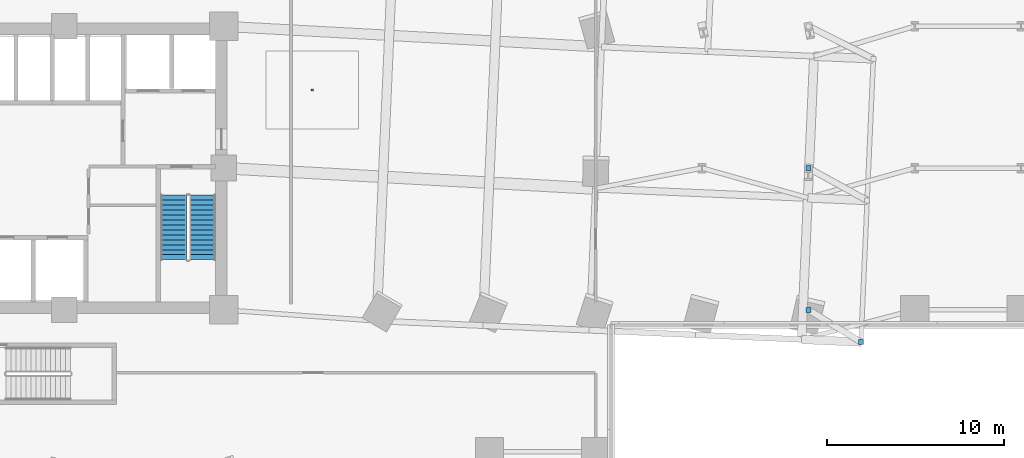
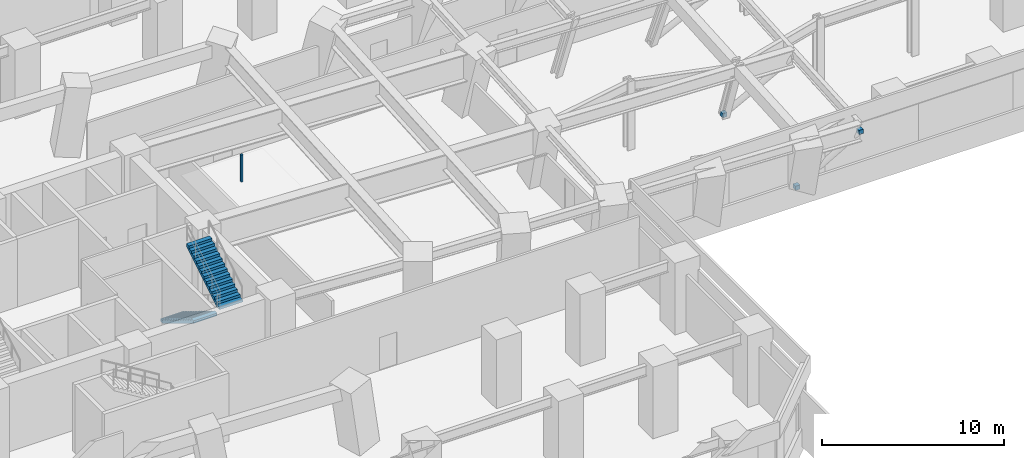
# One storey, part 6 of 14: 4 discrete accessories, 2 stair flights, 1 element without a shape of its own.
"""IFC4 building model written with IfcOpenShell, lengths in metres."""

from ifc_helpers import new_model, si_unit, direction, frame, origin, origin_2d, place, context, subcontext, project, spatial, polyline, rectangle, outline, extrude, source, transform, mapped, material, type_object, element, aggregate, save


model = new_model("IFC4")

# Units and contexts
model_context = context("Model", 3, precision=1e-05, world=origin(), true_north=direction((0.0, 1.0)))
body_context = subcontext(model_context, "Body", "Model", "MODEL_VIEW")
ifc_project = project(units=[si_unit("LENGTHUNIT", "METRE"), si_unit("AREAUNIT", "SQUARE_METRE"), si_unit("VOLUMEUNIT", "CUBIC_METRE"), si_unit("PLANEANGLEUNIT", "RADIAN"), si_unit("MASSUNIT", "GRAM", prefix="KILO")], contexts=[model_context])

# Site, building, storey
site_placement = place(None, origin())
site = spatial("IfcSite", under=ifc_project, at=site_placement, CompositionType="ELEMENT")
building_placement = place(site_placement, origin())
building = spatial("IfcBuilding", under=site, at=building_placement, Name="Torre Montelarca", CompositionType="ELEMENT")
storey_placement = place(building_placement, frame((0.0, 0.0, 28.0)))
storey = spatial("IfcBuildingStorey", under=building, at=storey_placement, Name="L06", CompositionType="ELEMENT", Elevation=28.0)

# Stair, stair flights
ifc_material_1 = material(Name="Concrete C40/50", Category="concrete")
stair_type = type_object("IfcStairType", Name="ST-CORE-ST2", PredefinedType="HALF_TURN_STAIR", material=ifc_material_1)
stair_placement = place(storey_placement, origin())
stair = element("IfcStair", 1, at=stair_placement, inside=storey, type_object=stair_type, Name="L06 Protected Exit Stair ST2", PredefinedType="HALF_TURN_STAIR")
stair_flight_type = type_object("IfcStairFlightType", Name="SFL-CORE-ST2", PredefinedType="STRAIGHT", material=ifc_material_1)
stair_flight_1_placement = place(storey_placement, frame((24.179931640625, 30.469970703125, 0.0), z_axis=(0.0, 0.0, 1.0), x_axis=(0.0, -1.0, 0.0)))
stair_flight_1 = element("IfcStairFlight", 2, at=stair_flight_1_placement, type_object=stair_flight_type, Name="ST2 flight 1", NumberOfRisers=14, NumberOfTreads=13, PredefinedType="STRAIGHT", RiserHeight=0.171428571, TreadLength=0.28, context=body_context, shape_type="SweptSolid", body=[
    extrude(outline(polyline([(0.0, 0.0), (0.0, 0.17138671875), (0.280029296875, 0.17138671875), (0.280029296875, 0.3427734375), (0.56005859375, 0.3427734375), (0.56005859375, 0.514404296875), (0.840087890625, 0.514404296875), (0.840087890625, 0.685791015625), (1.1201171875, 0.685791015625), (1.1201171875, 0.857177734375), (1.39990234375, 0.857177734375), (1.39990234375, 1.028564453125), (1.679931640625, 1.028564453125), (1.679931640625, 1.199951171875), (1.9599609375, 1.199951171875), (1.9599609375, 1.371337890625), (2.239990234375, 1.371337890625), (2.239990234375, 1.54296875), (2.52001953125, 1.54296875), (2.52001953125, 1.71435546875), (2.800048828125, 1.71435546875), (2.800048828125, 1.8857421875), (3.080078125, 1.8857421875), (3.080078125, 2.05712890625), (3.360107421875, 2.05712890625), (3.360107421875, 2.228515625), (3.639892578125, 2.228515625), (3.639892578125, 2.39990234375), (3.639892578125, 2.052734375), (0.287109375, 0.0), (0.0, 0.0)])), frame((0.0, 0.739990234375, 0.0), z_axis=(0.0, -1.0, 0.0), x_axis=(1.0, 0.0, 0.0)), (0.0, 0.0, 1.0), 1.47998046875),
])
stair_flight_2_placement = place(storey_placement, frame((25.81005859375, 26.830078125, 2.39990234375), z_axis=(0.0, 0.0, 1.0), x_axis=(0.0, 1.0, 0.0)))
stair_flight_2 = element("IfcStairFlight", 3, at=stair_flight_2_placement, type_object=stair_flight_type, Name="ST2 flight 2", NumberOfRisers=14, NumberOfTreads=13, PredefinedType="STRAIGHT", RiserHeight=0.171428571, TreadLength=0.28, context=body_context, shape_type="SweptSolid", body=[
    extrude(outline(polyline([(0.0, 0.0), (0.0, 0.17138671875), (0.280029296875, 0.17138671875), (0.280029296875, 0.3427734375), (0.56005859375, 0.3427734375), (0.56005859375, 0.514404296875), (0.840087890625, 0.514404296875), (0.840087890625, 0.685791015625), (1.1201171875, 0.685791015625), (1.1201171875, 0.857177734375), (1.39990234375, 0.857177734375), (1.39990234375, 1.028564453125), (1.679931640625, 1.028564453125), (1.679931640625, 1.199951171875), (1.9599609375, 1.199951171875), (1.9599609375, 1.371337890625), (2.239990234375, 1.371337890625), (2.239990234375, 1.54296875), (2.52001953125, 1.54296875), (2.52001953125, 1.71435546875), (2.800048828125, 1.71435546875), (2.800048828125, 1.8857421875), (3.080078125, 1.8857421875), (3.080078125, 2.05712890625), (3.360107421875, 2.05712890625), (3.360107421875, 2.228515625), (3.639892578125, 2.228515625), (3.639892578125, 2.39990234375), (3.639892578125, 2.052734375), (0.287109375, 0.0), (0.0, 0.0)])), frame((0.0, 0.739990234375, 0.0), z_axis=(0.0, -1.0, 0.0), x_axis=(1.0, 0.0, 0.0)), (0.0, 0.0, 1.0), 1.47998046875),
])
aggregate(stair, [stair_flight_1, stair_flight_2])

# Discrete accessories
ifc_material_2 = material(Name="Stainless steel AISI 316", Category="steel")
discrete_accessory_type_1 = type_object("IfcDiscreteAccessoryType", Name="ACC-BRACKET-SS", PredefinedType="BRACKET", material=ifc_material_2)
shared_shape_1 = source(origin(), body_context, "Body", "SweptSolid", [
    extrude(rectangle(XDim=0.280029296875, YDim=0.280029296875, at=origin_2d()), origin(), (0.0, 0.0, 1.0), 0.280029296875),
])
for number, where, z_axis, x_axis, name in (
    (4, (60.0, 24.0, 0.009765625), (0.0, 0.0, 1.0), (1.0, 0.0, 0.0), "L07 Raker End Connection Bracket E1-FT"),
    (5, (62.961181640625, 22.18212890625, 3.80517578125), (0.0, 0.0, 1.0), (1.0, 0.0, 0.0), "L07 Raker End Connection Bracket E1-HD"),
    (6, (60.0, 32.0, 0.009765625), (0.0, 0.0, 1.0), (1.0, 0.0, 0.0), "L07 Raker End Connection Bracket E2-FT"),
):
    element("IfcDiscreteAccessory", number, at=place(storey_placement, frame(where, z_axis=z_axis, x_axis=x_axis)), inside=storey, type_object=discrete_accessory_type_1, Name=name, PredefinedType="BRACKET", context=body_context, shape_type="MappedRepresentation", body=[
        mapped(shared_shape_1, transform((0.0, 0.0, 0.0), scale=1.0)),
    ])
ifc_material_3 = material(Name="Galvanized steel suspension hanger", Category="steel")
discrete_accessory_type_2 = type_object("IfcDiscreteAccessoryType", Name="ACC-CEIL-HNG", PredefinedType="BRACKET", material=ifc_material_3)
shared_shape_2 = source(origin(), body_context, "Body", "SweptSolid", [
    extrude(rectangle(XDim=0.1201171875, YDim=0.1201171875, at=origin_2d()), origin(), (0.0, 0.0, 1.0), 1.820068359375),
])
discrete_accessory_placement = place(storey_placement, frame((32.0, 36.39990234375, 2.759765625), z_axis=(0.0, 0.0, 1.0), x_axis=(1.0, 0.0, 0.0)))
element("IfcDiscreteAccessory", 7, at=discrete_accessory_placement, inside=storey, type_object=discrete_accessory_type_2, Name="L06 Suspended Ceiling Hanger Bracket 01", PredefinedType="BRACKET", context=body_context, shape_type="MappedRepresentation", body=[
    mapped(shared_shape_2, transform((0.0, 0.0, 0.0), scale=1.0)),
])

save(model, "model.ifc")
